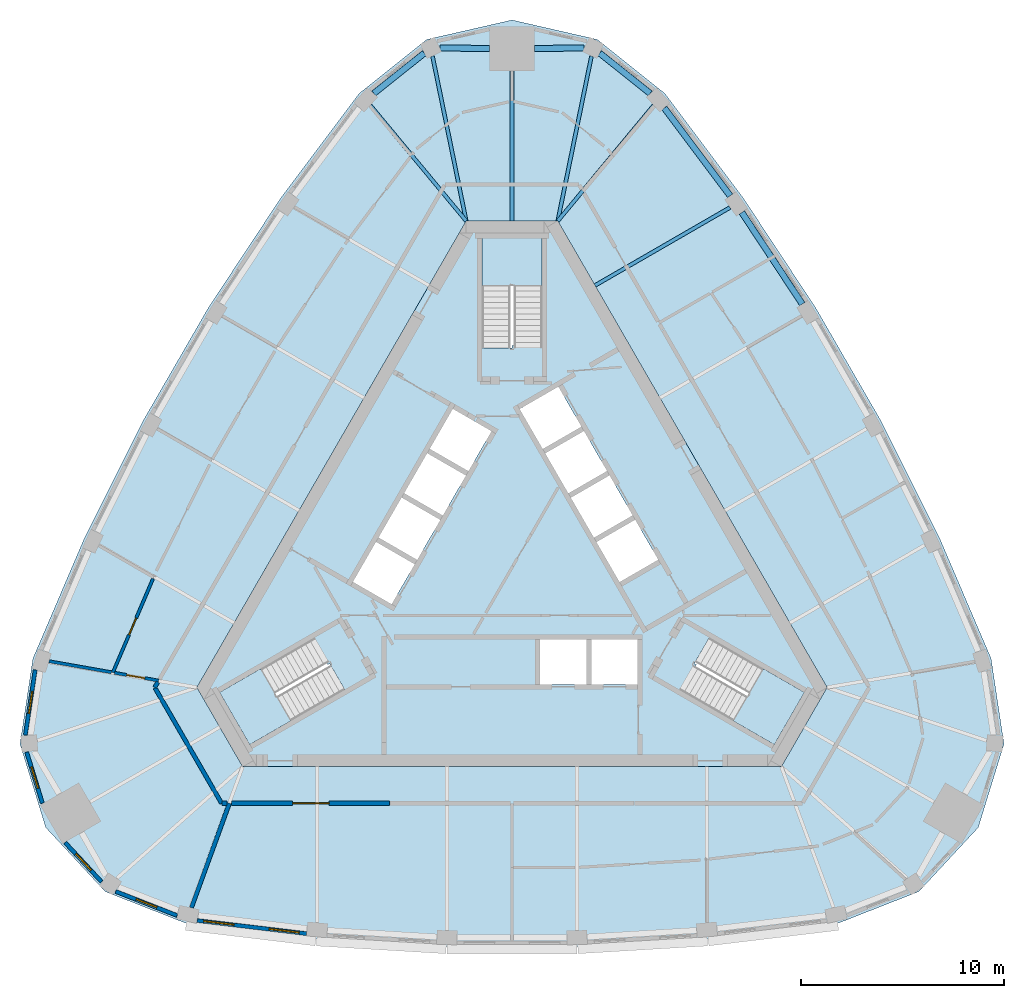
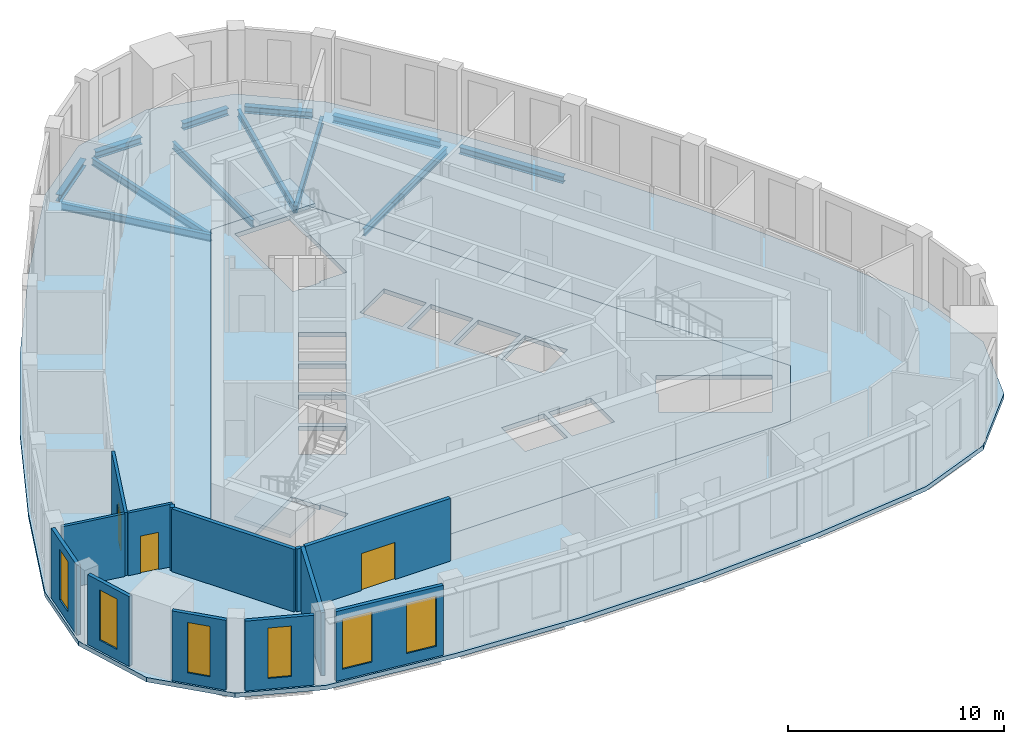
# One storey, part 2 of 10: 13 walls, 12 beams, 6 windows, 5 slabs, 3 doors, 9 openings, 3 elements without a shape of their own.
"""IFC4 building model written with IfcOpenShell, lengths in metres."""

import ifcopenshell
import ifcopenshell.guid

model = None  # the IFC model being written
_history = None  # IfcOwnerHistory: only IFC2X3 demands one
_inside = {}  # id of a spatial element -> (the spatial element, [elements in it])
_under = {}  # id of a project, library or spatial element -> (it, [spatial elements below it])
_declared = {}  # id of a project -> (the project, [libraries it declares])
_typed = {}  # id of a type object -> (the type object, [elements of that type])
_made_of = {}  # id of a material, layer set ... -> (it, [elements and type objects made of it])


def new_model(schema):
    """Start an empty IFC model of exactly this schema.

    Asked for "IFC4X3", IfcOpenShell would pick the latest addendum, in which some entities
    have other attributes; the version numbers below select the first issue.
    IFC2X3 requires an IfcOwnerHistory on every rooted entity: one is made here for all.
    """
    global model, _history
    if schema == "IFC4X3":
        model = ifcopenshell.file(schema_version=(4, 3, 0, 0))
    else:
        model = ifcopenshell.file(schema=schema)
    _inside.clear()
    _under.clear()
    _declared.clear()
    _typed.clear()
    _made_of.clear()
    _history = None
    if model.schema == "IFC2X3":
        org = make("IfcOrganization", Name="unknown")
        user = make(
            "IfcPersonAndOrganization",
            ThePerson=make("IfcPerson", FamilyName="unknown"),
            TheOrganization=org,
        )
        app = make(
            "IfcApplication",
            ApplicationDeveloper=org,
            Version="unknown",
            ApplicationFullName="unknown",
            ApplicationIdentifier="unknown",
        )
        _history = make(
            "IfcOwnerHistory",
            OwningUser=user,
            OwningApplication=app,
            ChangeAction="ADDED",
            CreationDate=0,
        )
    return model


def make(cls, **values):
    """One entity of the class cls with the attributes given. An attribute that is None is left unset."""
    return model.create_entity(
        cls, **{name: value for name, value in values.items() if value is not None}
    )


def rooted(cls, **values):
    """An entity with a GlobalId (a new one), such as an element, a storey or a relation."""
    return make(cls, GlobalId=ifcopenshell.guid.new(), OwnerHistory=_history, **values)


def si_unit(unit_type, name, prefix=None):
    """IfcSIUnit, for example si_unit("LENGTHUNIT", "METRE", prefix="MILLI")."""
    return make("IfcSIUnit", UnitType=unit_type, Prefix=prefix, Name=name)


def assignment(units):
    """IfcUnitAssignment: the units of a project."""
    return None if units is None else make("IfcUnitAssignment", Units=units)


def point(xyz):
    """IfcCartesianPoint."""
    return None if xyz is None else make("IfcCartesianPoint", Coordinates=xyz)


def direction(xyz):
    """IfcDirection."""
    return None if xyz is None else make("IfcDirection", DirectionRatios=xyz)


def frame(location, z_axis=None, x_axis=None):
    """IfcAxis2Placement3D, a coordinate frame: its origin and axes. An axis left out is left unset."""
    return make(
        "IfcAxis2Placement3D",
        Location=point(location),
        Axis=direction(z_axis),
        RefDirection=direction(x_axis),
    )


def frame_2d(location, x_axis=None):
    """IfcAxis2Placement2D, a coordinate frame in the plane: its origin and x axis."""
    return make(
        "IfcAxis2Placement2D", Location=point(location), RefDirection=direction(x_axis)
    )


def origin():
    """The frame at (0, 0, 0) with its axes left unset."""
    return frame((0.0, 0.0, 0.0))


def origin_2d():
    """The frame at (0, 0) in the plane with its x axis left unset."""
    return frame_2d((0.0, 0.0))


def place(relative_to, where):
    """IfcLocalPlacement: puts the frame where relative to a parent placement (None: the world)."""
    return make(
        "IfcLocalPlacement", PlacementRelTo=relative_to, RelativePlacement=where
    )


def context(
    kind, dimensions, precision=None, world=None, true_north=None, identifier=None
):
    """IfcGeometricRepresentationContext, for example the 3D "Model" context."""
    return make(
        "IfcGeometricRepresentationContext",
        ContextIdentifier=identifier,
        ContextType=kind,
        CoordinateSpaceDimension=dimensions,
        Precision=precision,
        WorldCoordinateSystem=world,
        TrueNorth=true_north,
    )


def subcontext(parent, identifier, kind, view, scale=None):
    """IfcGeometricRepresentationSubContext, for example "Body" below "Model"."""
    return make(
        "IfcGeometricRepresentationSubContext",
        ContextIdentifier=identifier,
        ContextType=kind,
        ParentContext=parent,
        TargetScale=scale,
        TargetView=view,
    )


def project(units=None, contexts=None):
    """IfcProject with its units and contexts."""
    return rooted(
        "IfcProject",
        Name="project",
        RepresentationContexts=contexts,
        UnitsInContext=assignment(units),
    )


def spatial(cls, under=None, at=None, **own):
    """A site, building, storey or space (cls), placed at a placement, below another one or the project."""
    s = rooted(cls, ObjectPlacement=at, **own)
    if under is not None:
        _under.setdefault(under.id(), (under, []))[1].append(s)
    return s


def polyline(points):
    """IfcPolyline through the points."""
    return make("IfcPolyline", Points=[point(p) for p in points])


def profile(cls, at=None, kind="AREA", **sizes):
    """A parametric profile (cls). Its sizes go by their IFC names, for example OverallWidth=200.0."""
    return make(cls, ProfileType=kind, Position=at, **sizes)


def rectangle(**sizes):
    """IfcRectangleProfileDef."""
    return profile("IfcRectangleProfileDef", **sizes)


def i_section(**sizes):
    """IfcIShapeProfileDef."""
    return profile("IfcIShapeProfileDef", **sizes)


def outline(outer, holes=None, kind="AREA"):
    """IfcArbitraryClosedProfileDef: a profile drawn as a closed curve; with holes, ...WithVoids."""
    if holes is None:
        return make("IfcArbitraryClosedProfileDef", ProfileType=kind, OuterCurve=outer)
    return make(
        "IfcArbitraryProfileDefWithVoids",
        ProfileType=kind,
        OuterCurve=outer,
        InnerCurves=holes,
    )


def extrude(swept, where, along, depth):
    """IfcExtrudedAreaSolid: the profile swept, set in the frame where, extruded along a direction by depth."""
    return make(
        "IfcExtrudedAreaSolid",
        SweptArea=swept,
        Position=where,
        ExtrudedDirection=direction(along),
        Depth=depth,
    )


def shape(context_of_items, identifier, shape_type, items):
    """IfcShapeRepresentation: the items that make up one representation, for example the "Body"."""
    return make(
        "IfcShapeRepresentation",
        ContextOfItems=context_of_items,
        RepresentationIdentifier=identifier,
        RepresentationType=shape_type,
        Items=items,
    )


def material(Name=None, Category=None):
    """IfcMaterial."""
    return make("IfcMaterial", Name=Name, Category=Category)


def layer(
    of_material, thickness, ventilated=None, Name=None, Category=None, Priority=None
):
    """IfcMaterialLayer: one layer of a wall or slab, of a material (None: an air gap)."""
    return make(
        "IfcMaterialLayer",
        Material=of_material,
        LayerThickness=thickness,
        IsVentilated=ventilated,
        Name=Name,
        Category=Category,
        Priority=Priority,
    )


def layer_set(layers, Name=None):
    """IfcMaterialLayerSet."""
    return make("IfcMaterialLayerSet", MaterialLayers=layers, LayerSetName=Name)


def material_profile(
    of_material, cross_section, Name=None, Category=None, Priority=None
):
    """IfcMaterialProfile: a cross section and its material."""
    return make(
        "IfcMaterialProfile",
        Name=Name,
        Material=of_material,
        Profile=cross_section,
        Priority=Priority,
        Category=Category,
    )


def profile_set(profiles, Name=None, composite=None):
    """IfcMaterialProfileSet."""
    return make(
        "IfcMaterialProfileSet",
        Name=Name,
        MaterialProfiles=profiles,
        CompositeProfile=composite,
    )


def made_of(thing, what):
    """Note that an element or type object is made of a material, layer set ...; save() writes the relation."""
    if what is not None:
        _made_of.setdefault(what.id(), (what, []))[1].append(thing)
    return thing


def type_object(cls, material=None, **own):
    """A type object (cls), such as IfcWallType, which elements share."""
    return made_of(rooted(cls, **own), material)


def element(
    cls,
    number,
    at=None,
    inside=None,
    cuts=None,
    type_object=None,
    material=None,
    context=None,
    identifier="Body",
    shape_type=None,
    held_by="IfcProductDefinitionShape",
    body=None,
    shapes=None,
    **own,
):
    """One element of the class cls, such as IfcWall. Its Tag is "e" and its number.

    at: its placement. inside: the storey or other place that contains it. cuts: it is an
    opening in that element (IfcRelVoidsElement). A single representation is given by context,
    identifier, shape_type and body (its items); several are given by shapes. held_by: the class
    of the entity that holds the representations. save() writes the other relations.
    """
    e = rooted(cls, Tag="e%d" % number, ObjectPlacement=at, **own)
    if body is not None:
        shapes = [shape(context, identifier, shape_type, body)]
    if shapes is not None:
        e.Representation = make(held_by, Representations=shapes)
    if inside is not None:
        _inside.setdefault(inside.id(), (inside, []))[1].append(e)
    if cuts is not None:
        rooted(
            "IfcRelVoidsElement", RelatingBuildingElement=cuts, RelatedOpeningElement=e
        )
    if type_object is not None:
        _typed.setdefault(type_object.id(), (type_object, []))[1].append(e)
    return made_of(e, material)


def fill(opening, filler):
    """IfcRelFillsElement: the door or window that sits in an opening."""
    return rooted(
        "IfcRelFillsElement",
        RelatingOpeningElement=opening,
        RelatedBuildingElement=filler,
    )


def aggregate(whole, parts):
    """IfcRelAggregates: a whole, such as a stair, and the parts it consists of."""
    return rooted("IfcRelAggregates", RelatingObject=whole, RelatedObjects=parts)


def save(model, path):
    """Write the relations noted so far, then the file.

    IfcRelAggregates (storeys below a building ...), IfcRelContainedInSpatialStructure (elements
    in a storey), IfcRelDefinesByType, IfcRelAssociatesMaterial and IfcRelDeclares: one each for
    every whole, place, type object, material and project.
    """
    for whole, parts in _under.values():
        aggregate(whole, parts)
    for where, things in _inside.values():
        rooted(
            "IfcRelContainedInSpatialStructure",
            RelatedElements=things,
            RelatingStructure=where,
        )
    for kind, things in _typed.values():
        rooted("IfcRelDefinesByType", RelatedObjects=things, RelatingType=kind)
    for what, things in _made_of.values():
        rooted("IfcRelAssociatesMaterial", RelatedObjects=things, RelatingMaterial=what)
    for by, libraries in _declared.values():
        rooted("IfcRelDeclares", RelatingContext=by, RelatedDefinitions=libraries)
    model.write(path)


model = new_model("IFC4")

# Units and contexts
model_context = context("Model", 3, precision=1e-05, world=origin(), true_north=direction((0.0, 1.0)))
body_context = subcontext(model_context, "Body", "Model", "MODEL_VIEW")
ifc_project = project(units=[si_unit("LENGTHUNIT", "METRE"), si_unit("AREAUNIT", "SQUARE_METRE"), si_unit("VOLUMEUNIT", "CUBIC_METRE"), si_unit("PLANEANGLEUNIT", "RADIAN"), si_unit("MASSUNIT", "GRAM", prefix="KILO")], contexts=[model_context])

# Site, building, storey
site_placement = place(None, origin())
site = spatial("IfcSite", under=ifc_project, at=site_placement, CompositionType="ELEMENT")
building_placement = place(site_placement, origin())
building = spatial("IfcBuilding", under=site, at=building_placement, Name="Mestral Congress Tower", CompositionType="ELEMENT")
storey_placement = place(building_placement, frame((0.0, 0.0, 292.199951171875)))
storey = spatial("IfcBuildingStorey", under=building, at=storey_placement, Name="L68", CompositionType="ELEMENT", Elevation=292.199951171875)

# Beams
ifc_material_1 = material(Name="Steel S355", Category="steel")
ifc_material_profile_1 = material_profile(ifc_material_1, i_section(OverallWidth=0.179931640625, OverallDepth=0.39990234375, WebThickness=0.008544921875, FlangeThickness=0.013427734375, FilletRadius=0.02099609375, at=origin_2d()), Name="IPE 400")
ifc_profile_set_1 = profile_set([ifc_material_profile_1], Name="Steel S355")
beam_type_1 = type_object("IfcBeamType", Name="Floor beam IPE 400 S355", PredefinedType="BEAM", material=ifc_profile_set_1)
beam_1_placement = place(storey_placement, frame((10.7275390625, 17.263916015625, -0.449951171875), z_axis=(-0.866019720907, -0.500009842903, 0.0), x_axis=(0.500009842903, -0.866019720907, 0.0)))
element("IfcBeam", 1, at=beam_1_placement, inside=storey, type_object=beam_type_1, Name="BM-L68-RB5-E04", PredefinedType="BEAM", context=body_context, shape_type="SweptSolid", body=[
    extrude(i_section(OverallWidth=0.179931640625, OverallDepth=0.39990234375, WebThickness=0.008544921875, FlangeThickness=0.013427734375, FilletRadius=0.02099609375, at=origin_2d()), origin(), (0.0, 0.0, 1.0), 7.672119140625),
])
beam_2_placement = place(storey_placement, frame((6.969970703125, 22.2890625, -0.449951171875), z_axis=(-0.638382651591, -0.769719163168, 0.0), x_axis=(0.769719163168, -0.638382651591, 0.0)))
element("IfcBeam", 2, at=beam_2_placement, inside=storey, type_object=beam_type_1, Name="BM-L68-RB5-E05", PredefinedType="BEAM", context=body_context, shape_type="SweptSolid", body=[
    extrude(i_section(OverallWidth=0.179931640625, OverallDepth=0.39990234375, WebThickness=0.008544921875, FlangeThickness=0.013427734375, FilletRadius=0.02099609375, at=origin_2d()), origin(), (0.0, 0.0, 1.0), 7.390869140625),
])
beam_3_placement = place(storey_placement, frame((3.910888671875, 24.7119140625, -0.449951171875), z_axis=(-0.200389803804, -0.979716247967, 0.0), x_axis=(0.979716247967, -0.200389803804, 0.0)))
element("IfcBeam", 3, at=beam_3_placement, inside=storey, type_object=beam_type_1, Name="BM-L68-RB5-N1", PredefinedType="BEAM", context=body_context, shape_type="SweptSolid", body=[
    extrude(i_section(OverallWidth=0.179931640625, OverallDepth=0.39990234375, WebThickness=0.008544921875, FlangeThickness=0.013427734375, FilletRadius=0.02099609375, at=origin_2d()), origin(), (0.0, 0.0, 1.0), 8.27978515625),
])
beam_4_placement = place(storey_placement, frame((0.0, 23.97802734375, -0.449951171875), z_axis=(0.0, -1.0, 0.0), x_axis=(1.0, 0.0, 0.0)))
element("IfcBeam", 4, at=beam_4_placement, inside=storey, type_object=beam_type_1, Name="BM-L68-RB5-N", PredefinedType="BEAM", context=body_context, shape_type="SweptSolid", body=[
    extrude(i_section(OverallWidth=0.179931640625, OverallDepth=0.39990234375, WebThickness=0.008544921875, FlangeThickness=0.013427734375, FilletRadius=0.02099609375, at=origin_2d()), origin(), (0.0, 0.0, 1.0), 7.3779296875),
])
beam_5_placement = place(storey_placement, frame((-3.910888671875, 24.7119140625, -0.449951171875), z_axis=(0.200389803804, -0.979716247967, 0.0), x_axis=(0.979716247967, 0.200389803804, 0.0)))
element("IfcBeam", 5, at=beam_5_placement, inside=storey, type_object=beam_type_1, Name="BM-L68-RB5-N3", PredefinedType="BEAM", context=body_context, shape_type="SweptSolid", body=[
    extrude(i_section(OverallWidth=0.179931640625, OverallDepth=0.39990234375, WebThickness=0.008544921875, FlangeThickness=0.013427734375, FilletRadius=0.02099609375, at=origin_2d()), origin(), (0.0, 0.0, 1.0), 8.27978515625),
])
beam_6_placement = place(storey_placement, frame((-6.969970703125, 22.2890625, -0.449951171875), z_axis=(0.638382651591, -0.769719163168, 0.0), x_axis=(0.769719163168, 0.638382651591, 0.0)))
element("IfcBeam", 6, at=beam_6_placement, inside=storey, type_object=beam_type_1, Name="BM-L68-RB5-W00", PredefinedType="BEAM", context=body_context, shape_type="SweptSolid", body=[
    extrude(i_section(OverallWidth=0.179931640625, OverallDepth=0.39990234375, WebThickness=0.008544921875, FlangeThickness=0.013427734375, FilletRadius=0.02099609375, at=origin_2d()), origin(), (0.0, 0.0, 1.0), 7.390869140625),
])
ifc_material_profile_2 = material_profile(ifc_material_1, i_section(OverallWidth=0.300048828125, OverallDepth=0.389892578125, WebThickness=0.010986328125, FlangeThickness=0.01904296875, FilletRadius=0.027099609375, at=origin_2d()), Name="HEA 400")
ifc_profile_set_2 = profile_set([ifc_material_profile_2], Name="Steel S355")
beam_type_2 = type_object("IfcBeamType", Name="Spandrel beam HEA 400 S355", PredefinedType="BEAM", material=ifc_profile_set_2)
beam_7_placement = place(storey_placement, frame((14.280517578125, 12.51611328125, -0.445068359375), z_axis=(-0.550748957655, 0.83467094453, 0.0), x_axis=(-0.83467094453, -0.550748957655, 0.0)))
element("IfcBeam", 7, at=beam_7_placement, inside=storey, type_object=beam_type_2, Name="SP-L68-SB5-E03", PredefinedType="BEAM", context=body_context, shape_type="SweptSolid", body=[
    extrude(i_section(OverallWidth=0.300048828125, OverallDepth=0.389892578125, WebThickness=0.010986328125, FlangeThickness=0.01904296875, FilletRadius=0.027099609375, at=origin_2d()), origin(), (0.0, 0.0, 1.0), 5.3984375),
])
beam_8_placement = place(storey_placement, frame((10.73193359375, 17.83984375, -0.445068359375), z_axis=(-0.599529393236, 0.800352738888, 0.0), x_axis=(-0.800352738888, -0.599529393236, 0.0)))
element("IfcBeam", 8, at=beam_8_placement, inside=storey, type_object=beam_type_2, Name="SP-L68-SB5-E04", PredefinedType="BEAM", context=body_context, shape_type="SweptSolid", body=[
    extrude(i_section(OverallWidth=0.300048828125, OverallDepth=0.389892578125, WebThickness=0.010986328125, FlangeThickness=0.01904296875, FilletRadius=0.027099609375, at=origin_2d()), origin(), (0.0, 0.0, 1.0), 5.396484375),
])
beam_9_placement = place(storey_placement, frame((6.7998046875, 22.876708984375, -0.445068359375), z_axis=(-0.781647188603, 0.623720829016, 0.0), x_axis=(-0.623720829016, -0.781647188603, 0.0)))
element("IfcBeam", 9, at=beam_9_placement, inside=storey, type_object=beam_type_2, Name="SP-L68-SB5-E05", PredefinedType="BEAM", context=body_context, shape_type="SweptSolid", body=[
    extrude(i_section(OverallWidth=0.300048828125, OverallDepth=0.389892578125, WebThickness=0.010986328125, FlangeThickness=0.01904296875, FilletRadius=0.027099609375, at=origin_2d()), origin(), (0.0, 0.0, 1.0), 3.179931640625),
])
for number, where, z_axis, x_axis, name in (
    (10, (3.54736328125, 25.11181640625, -0.445068359375), (-0.999955093848, -0.009476829002, 0.0), (0.009476829002, -0.999955093848, 0.0), "SP-L68-SB5-N1"),
    (11, (-1.10009765625, 25.088623046875, -0.445068359375), (-0.999955093848, 0.009476829002, 0.0), (-0.009476829002, -0.999955093848, 0.0), "SP-L68-SB5-N"),
):
    element("IfcBeam", number, at=place(storey_placement, frame(where, z_axis=z_axis, x_axis=x_axis)), inside=storey, type_object=beam_type_2, Name=name, PredefinedType="BEAM", context=body_context, shape_type="SweptSolid", body=[
        extrude(i_section(OverallWidth=0.300048828125, OverallDepth=0.389892578125, WebThickness=0.010986328125, FlangeThickness=0.01904296875, FilletRadius=0.027099609375, at=origin_2d()), origin(), (0.0, 0.0, 1.0), 2.447265625),
    ])
beam_10_placement = place(storey_placement, frame((-4.314208984375, 24.860107421875, -0.445068359375), z_axis=(-0.781647188603, -0.623720829016, 0.0), x_axis=(0.623720829016, -0.781647188603, 0.0)))
element("IfcBeam", 12, at=beam_10_placement, inside=storey, type_object=beam_type_2, Name="SP-L68-SB5-N3", PredefinedType="BEAM", context=body_context, shape_type="SweptSolid", body=[
    extrude(i_section(OverallWidth=0.300048828125, OverallDepth=0.389892578125, WebThickness=0.010986328125, FlangeThickness=0.01904296875, FilletRadius=0.027099609375, at=origin_2d()), origin(), (0.0, 0.0, 1.0), 3.179931640625),
])

# Slabs
ifc_material_2 = material(Name="Concrete C35/45", Category="concrete")
ifc_layer_1 = layer(ifc_material_2, 0.25)
ifc_layer_set_1 = layer_set([ifc_layer_1], Name="Concrete C35/45")
slab_type_1 = type_object("IfcSlabType", Name="Composite floor slab 250", PredefinedType="FLOOR", material=ifc_layer_set_1)
placement_1 = place(storey_placement, frame((0.0, 0.0, -0.25)))
element("IfcSlab", 13, at=placement_1, inside=storey, type_object=slab_type_1, Name="SL-L68", PredefinedType="FLOOR", context=body_context, shape_type="SweptSolid", body=[
    extrude(outline(polyline([(-16.051513671875, -17.951904296875), (-20.014404296875, -16.39794921875), (-22.940673828125, -13.244873046875), (-24.208251953125, -9.1337890625), (-23.572509765625, -4.925048828125), (-21.027587890625, 1.0234375), (-18.152099609375, 6.77001953125), (-14.939208984375, 12.335205078125), (-11.400146484375, 17.698486328125), (-7.52099609375, 22.876953125), (-4.19384765625, 25.531982421875), (0.0, 26.48974609375), (4.19384765625, 25.531982421875), (7.52099609375, 22.876953125), (11.400146484375, 17.698486328125), (14.939208984375, 12.335205078125), (18.152099609375, 6.77001953125), (21.027587890625, 1.0234375), (23.572509765625, -4.925048828125), (24.208251953125, -9.1337890625), (22.940673828125, -13.244873046875), (20.014404296875, -16.39794921875), (16.051513671875, -17.951904296875), (9.62744140625, -18.72216796875), (3.212890625, -19.105224609375), (-3.212890625, -19.105224609375), (-9.62744140625, -18.72216796875), (-16.051513671875, -17.951904296875)]), holes=[polyline([(-2.251708984375, 16.60009765625), (-15.501953125, -6.35009765625), (-13.250244140625, -10.25), (13.250244140625, -10.25), (15.501953125, -6.35009765625), (2.251708984375, 16.60009765625), (-2.251708984375, 16.60009765625)])]), origin(), (0.0, 0.0, 1.0), 0.25),
])
ifc_material_3 = material(Name="Concrete C60/75", Category="concrete")
ifc_layer_2 = layer(ifc_material_3, 0.25)
ifc_layer_set_2 = layer_set([ifc_layer_2], Name="Concrete C60/75")
slab_type_2 = type_object("IfcSlabType", Name="Core floor slab RC 250", PredefinedType="FLOOR", material=ifc_layer_set_2)
element("IfcSlab", 14, at=placement_1, inside=storey, type_object=slab_type_2, Name="L68 core floor", PredefinedType="FLOOR", context=body_context, shape_type="SweptSolid", body=[
    extrude(outline(polyline([(13.250244140625, -10.25), (-13.250244140625, -10.25), (-15.501953125, -6.35009765625), (-2.251708984375, 16.60009765625), (2.251708984375, 16.60009765625), (15.501953125, -6.35009765625), (13.250244140625, -10.25)]), holes=[polyline([(-14.37744140625, -6.59765625), (-12.90234375, -9.15234375), (-8.234619140625, -6.45751953125), (-8.971923828125, -5.179931640625), (-9.0673828125, -5.235107421875), (-9.8046875, -3.95751953125), (-14.37744140625, -6.59765625)]), polyline([(-5.921630859375, -2.256591796875), (-4.78662109375, -0.29052734375), (-6.69189453125, 0.809326171875), (-7.826904296875, -1.156494140625), (-5.921630859375, -2.256591796875)]), polyline([(-4.66162109375, -0.07421875), (-3.526611328125, 1.8916015625), (-5.431884765625, 2.99169921875), (-6.56689453125, 1.02587890625), (-4.66162109375, -0.07421875)]), polyline([(-2.2666015625, 4.07421875), (-4.171875, 5.174072265625), (-5.306884765625, 3.208251953125), (-3.401611328125, 2.1083984375), (-2.2666015625, 4.07421875)]), polyline([(-2.1416015625, 4.29052734375), (-1.006591796875, 6.256591796875), (-2.911865234375, 7.3564453125), (-4.046875, 5.390625), (-2.1416015625, 4.29052734375)]), polyline([(0.376708984375, 7.34765625), (1.51171875, 5.3818359375), (3.4169921875, 6.481689453125), (2.281982421875, 8.44775390625), (0.376708984375, 7.34765625)]), polyline([(1.47509765625, 15.75), (-1.47509765625, 15.75), (-1.47509765625, 10.360107421875), (0.0, 10.360107421875), (0.0, 10.469970703125), (1.47509765625, 10.469970703125), (1.47509765625, 15.75)]), polyline([(8.329833984375, -6.512451171875), (12.90234375, -9.15234375), (14.37744140625, -6.59765625), (9.70947265625, -3.902587890625), (8.971923828125, -5.179931640625), (9.0673828125, -5.235107421875), (8.329833984375, -6.512451171875)]), polyline([(3.655029296875, -4.0), (1.385009765625, -4.0), (1.385009765625, -6.199951171875), (3.655029296875, -6.199951171875), (3.655029296875, -4.0)]), polyline([(6.175048828125, -4.0), (3.905029296875, -4.0), (3.905029296875, -6.199951171875), (6.175048828125, -6.199951171875), (6.175048828125, -4.0)]), polyline([(4.156494140625, 0.800537109375), (5.29150390625, -1.165283203125), (7.197021484375, -0.065185546875), (6.06201171875, 1.900634765625), (4.156494140625, 0.800537109375)]), polyline([(2.896484375, 2.98291015625), (4.031494140625, 1.01708984375), (5.93701171875, 2.1171875), (4.802001953125, 4.0830078125), (2.896484375, 2.98291015625)]), polyline([(1.63671875, 5.165283203125), (2.771484375, 3.199462890625), (4.677001953125, 4.29931640625), (3.5419921875, 6.265380859375), (1.63671875, 5.165283203125)])]), origin(), (0.0, 0.0, 1.0), 0.25),
])

# Stair, slab
stair_type = type_object("IfcStairType", Name="Exit stair 1400", PredefinedType="HALF_TURN_STAIR", material=ifc_material_3)
placement_2 = place(storey_placement, origin())
stair_1 = element("IfcStair", 15, at=placement_2, inside=storey, type_object=stair_type, Name="L68 ST1", PredefinedType="HALF_TURN_STAIR")
ifc_layer_3 = layer(ifc_material_3, 0.199951171875)
ifc_layer_set_3 = layer_set([ifc_layer_3], Name="Concrete C60/75")
slab_type_3 = type_object("IfcSlabType", Name="Exit stair landing 200", PredefinedType="LANDING", material=ifc_layer_set_3)
placement_3 = place(storey_placement, frame((0.0, 0.0, 1.900146484375)))
slab_3 = element("IfcSlab", 16, at=placement_3, type_object=slab_type_3, Name="ST1 landing 1", PredefinedType="LANDING", context=body_context, shape_type="SweptSolid", body=[
    extrude(outline(polyline([(10.879638671875, -7.99609375), (12.364501953125, -5.424072265625), (14.39111328125, -6.593994140625), (12.906005859375, -9.166015625), (10.879638671875, -7.99609375)])), origin(), (0.0, 0.0, 1.0), 0.199951171875),
])
aggregate(stair_1, [slab_3])

stair_2 = element("IfcStair", 17, at=placement_2, inside=storey, type_object=stair_type, Name="L68 ST2", PredefinedType="HALF_TURN_STAIR")
slab_4 = element("IfcSlab", 18, at=placement_3, type_object=slab_type_3, Name="ST2 landing 1", PredefinedType="LANDING", context=body_context, shape_type="SweptSolid", body=[
    extrude(outline(polyline([(1.485107421875, 13.419921875), (-1.485107421875, 13.419921875), (-1.485107421875, 15.760009765625), (1.485107421875, 15.760009765625), (1.485107421875, 13.419921875)])), origin(), (0.0, 0.0, 1.0), 0.199951171875),
])
aggregate(stair_2, [slab_4])

stair_3 = element("IfcStair", 19, at=placement_2, inside=storey, type_object=stair_type, Name="L68 ST3", PredefinedType="HALF_TURN_STAIR")
slab_5 = element("IfcSlab", 20, at=placement_3, type_object=slab_type_3, Name="ST3 landing 1", PredefinedType="LANDING", context=body_context, shape_type="SweptSolid", body=[
    extrude(outline(polyline([(-12.364501953125, -5.424072265625), (-10.879638671875, -7.99609375), (-12.906005859375, -9.166015625), (-14.39111328125, -6.593994140625), (-12.364501953125, -5.424072265625)])), origin(), (0.0, 0.0, 1.0), 0.199951171875),
])
aggregate(stair_3, [slab_5])

# Wall, openings, windows
ifc_material_4 = material(Name="Precast concrete C40/50 with limestone facing", Category="masonry")
ifc_layer_4 = layer(ifc_material_4, 0.18994140625)
ifc_layer_set_4 = layer_set([ifc_layer_4], Name="Precast concrete C40/50 with limestone facing")
wall_type_1 = type_object("IfcWallType", Name="Facade stone wall 190", PredefinedType="SOLIDWALL", material=ifc_layer_set_4)
wall_1_placement = place(storey_placement, frame((-15.487060546875, -17.822998046875, 0.0), z_axis=(0.0, 0.0, 1.0), x_axis=(0.992885582795, -0.119072328769, 0.0)))
wall_1 = element("IfcWall", 21, at=wall_1_placement, inside=storey, type_object=wall_type_1, Name="Facade wall F0-00", PredefinedType="SOLIDWALL", context=body_context, shape_type="SweptSolid", body=[
    extrude(rectangle(XDim=5.4150390625, YDim=0.18994140625, at=frame_2d((2.70751953125, 0.0))), origin(), (0.0, 0.0, 1.0), 3.949951171875),
])
opening_1_placement = place(wall_1_placement, frame((0.322509765625, 0.0, 0.60009765625)))
opening_1 = element("IfcOpeningElement", 22, at=opening_1_placement, cuts=wall_1, Name="Opening W6", PredefinedType="OPENING", context=body_context, shape_type="SweptSolid", body=[
    extrude(rectangle(XDim=1.5, YDim=2.85009765625, at=frame_2d((0.75, 1.425048828125))), frame((0.0, 0.10498046875, 0.0), z_axis=(0.0, -1.0, 0.0), x_axis=(1.0, 0.0, 0.0)), (0.0, 0.0, 1.0), 0.2099609375),
])
opening_2_placement = place(wall_1_placement, frame((3.5576171875, 0.0, 0.60009765625)))
opening_2 = element("IfcOpeningElement", 23, at=opening_2_placement, cuts=wall_1, Name="Opening W6", PredefinedType="OPENING", context=body_context, shape_type="SweptSolid", body=[
    extrude(rectangle(XDim=1.5, YDim=2.85009765625, at=frame_2d((0.75, 1.425048828125))), frame((0.0, 0.10498046875, 0.0), z_axis=(0.0, -1.0, 0.0), x_axis=(1.0, 0.0, 0.0)), (0.0, 0.0, 1.0), 0.2099609375),
])
ifc_material_5 = material(Name="Clear low-emissivity double glazing", Category="glass")
window_type_1 = type_object("IfcWindowType", Name="Facade punched window 1500 x 2850 sill 600", PartitioningType="SINGLE_PANEL", PredefinedType="WINDOW", material=ifc_material_5)
window_1_placement = place(opening_1_placement, origin())
window_1 = element("IfcWindow", 24, at=window_1_placement, inside=storey, type_object=window_type_1, Name="Window F0-00a", OverallHeight=2.85009765625, OverallWidth=1.5, PartitioningType="SINGLE_PANEL", PredefinedType="WINDOW", context=body_context, shape_type="SweptSolid", body=[
    extrude(rectangle(XDim=1.5, YDim=2.85009765625, at=frame_2d((0.75, 1.425048828125))), frame((0.0, 0.044921875, 0.0), z_axis=(0.0, -1.0, 0.0), x_axis=(1.0, 0.0, 0.0)), (0.0, 0.0, 1.0), 0.06005859375),
])
fill(opening_1, window_1)
window_2_placement = place(opening_2_placement, origin())
window_2 = element("IfcWindow", 25, at=window_2_placement, inside=storey, type_object=window_type_1, Name="Window F0-00b", OverallHeight=2.85009765625, OverallWidth=1.5, PartitioningType="SINGLE_PANEL", PredefinedType="WINDOW", context=body_context, shape_type="SweptSolid", body=[
    extrude(rectangle(XDim=1.5, YDim=2.85009765625, at=frame_2d((0.75, 1.425048828125))), frame((0.0, 0.044921875, 0.0), z_axis=(0.0, -1.0, 0.0), x_axis=(1.0, 0.0, 0.0)), (0.0, 0.0, 1.0), 0.06005859375),
])
fill(opening_2, window_2)

# Wall, opening, window
wall_2_placement = place(storey_placement, frame((-23.460205078125, -5.488037109375, 0.0), z_axis=(0.0, 0.0, 1.0), x_axis=(-0.149421055602, -0.988773658702, 0.0)))
wall_2 = element("IfcWall", 26, at=wall_2_placement, inside=storey, type_object=wall_type_1, Name="Facade wall K2-0", PredefinedType="SOLIDWALL", context=body_context, shape_type="SweptSolid", body=[
    extrude(rectangle(XDim=3.23681640625, YDim=0.18994140625, at=frame_2d((1.618408203125, 0.0))), origin(), (0.0, 0.0, 1.0), 3.949951171875),
])
opening_3_placement = place(wall_2_placement, frame((1.068359375, 0.0, 0.60009765625)))
opening_3 = element("IfcOpeningElement", 27, at=opening_3_placement, cuts=wall_2, Name="Opening W7", PredefinedType="OPENING", context=body_context, shape_type="SweptSolid", body=[
    extrude(rectangle(XDim=1.10009765625, YDim=2.85009765625, at=frame_2d((0.550048828125, 1.425048828125))), frame((0.0, 0.10498046875, 0.0), z_axis=(0.0, -1.0, 0.0), x_axis=(1.0, 0.0, 0.0)), (0.0, 0.0, 1.0), 0.2099609375),
])
window_type_2 = type_object("IfcWindowType", Name="Facade punched window 1100 x 2850 sill 600", PartitioningType="SINGLE_PANEL", PredefinedType="WINDOW", material=ifc_material_5)
window_3_placement = place(opening_3_placement, origin())
window_3 = element("IfcWindow", 28, at=window_3_placement, inside=storey, type_object=window_type_2, Name="Window K2-0", OverallHeight=2.85009765625, OverallWidth=1.10009765625, PartitioningType="SINGLE_PANEL", PredefinedType="WINDOW", context=body_context, shape_type="SweptSolid", body=[
    extrude(rectangle(XDim=1.10009765625, YDim=2.85009765625, at=frame_2d((0.550048828125, 1.425048828125))), frame((0.0, 0.044921875, 0.0), z_axis=(0.0, -1.0, 0.0), x_axis=(1.0, 0.0, 0.0)), (0.0, 0.0, 1.0), 0.06005859375),
])
fill(opening_3, window_3)

wall_3_placement = place(storey_placement, frame((-23.880615234375, -9.53515625, 0.0), z_axis=(0.0, 0.0, 1.0), x_axis=(0.294706210429, -0.9555879078, 0.0)))
wall_3 = element("IfcWall", 29, at=wall_3_placement, inside=storey, type_object=wall_type_1, Name="Facade wall K2-1", PredefinedType="SOLIDWALL", context=body_context, shape_type="SweptSolid", body=[
    extrude(rectangle(XDim=2.626953125, YDim=0.18994140625, at=frame_2d((1.3134765625, 0.0))), origin(), (0.0, 0.0, 1.0), 3.949951171875),
])
opening_4_placement = place(wall_3_placement, frame((0.763427734375, 0.0, 0.60009765625)))
opening_4 = element("IfcOpeningElement", 30, at=opening_4_placement, cuts=wall_3, Name="Opening W7", PredefinedType="OPENING", context=body_context, shape_type="SweptSolid", body=[
    extrude(rectangle(XDim=1.10009765625, YDim=2.85009765625, at=frame_2d((0.550048828125, 1.425048828125))), frame((0.0, 0.10498046875, 0.0), z_axis=(0.0, -1.0, 0.0), x_axis=(1.0, 0.0, 0.0)), (0.0, 0.0, 1.0), 0.2099609375),
])
window_4_placement = place(opening_4_placement, origin())
window_4 = element("IfcWindow", 31, at=window_4_placement, inside=storey, type_object=window_type_2, Name="Window K2-1", OverallHeight=2.85009765625, OverallWidth=1.10009765625, PartitioningType="SINGLE_PANEL", PredefinedType="WINDOW", context=body_context, shape_type="SweptSolid", body=[
    extrude(rectangle(XDim=1.10009765625, YDim=2.85009765625, at=frame_2d((0.550048828125, 1.425048828125))), frame((0.0, 0.044921875, 0.0), z_axis=(0.0, -1.0, 0.0), x_axis=(1.0, 0.0, 0.0)), (0.0, 0.0, 1.0), 0.06005859375),
])
fill(opening_4, window_4)

wall_4_placement = place(storey_placement, frame((-21.98486328125, -13.988037109375, 0.0), z_axis=(0.0, 0.0, 1.0), x_axis=(0.680219354823, -0.733008614768, 0.0)))
wall_4 = element("IfcWall", 32, at=wall_4_placement, inside=storey, type_object=wall_type_1, Name="Facade wall K2-2", PredefinedType="SOLIDWALL", context=body_context, shape_type="SweptSolid", body=[
    extrude(rectangle(XDim=2.626953125, YDim=0.18994140625, at=frame_2d((1.3134765625, 0.0))), origin(), (0.0, 0.0, 1.0), 3.949951171875),
])
opening_5_placement = place(wall_4_placement, frame((0.763427734375, 0.0, 0.60009765625)))
opening_5 = element("IfcOpeningElement", 33, at=opening_5_placement, cuts=wall_4, Name="Opening W7", PredefinedType="OPENING", context=body_context, shape_type="SweptSolid", body=[
    extrude(rectangle(XDim=1.10009765625, YDim=2.85009765625, at=frame_2d((0.550048828125, 1.425048828125))), frame((0.0, 0.10498046875, 0.0), z_axis=(0.0, -1.0, 0.0), x_axis=(1.0, 0.0, 0.0)), (0.0, 0.0, 1.0), 0.2099609375),
])
window_5_placement = place(opening_5_placement, origin())
window_5 = element("IfcWindow", 34, at=window_5_placement, inside=storey, type_object=window_type_2, Name="Window K2-2", OverallHeight=2.85009765625, OverallWidth=1.10009765625, PartitioningType="SINGLE_PANEL", PredefinedType="WINDOW", context=body_context, shape_type="SweptSolid", body=[
    extrude(rectangle(XDim=1.10009765625, YDim=2.85009765625, at=frame_2d((0.550048828125, 1.425048828125))), frame((0.0, 0.044921875, 0.0), z_axis=(0.0, -1.0, 0.0), x_axis=(1.0, 0.0, 0.0)), (0.0, 0.0, 1.0), 0.06005859375),
])
fill(opening_5, window_5)

wall_5_placement = place(storey_placement, frame((-19.496337890625, -16.3916015625, 0.0), z_axis=(0.0, 0.0, 1.0), x_axis=(0.93100888477, -0.364996515709, 0.0)))
wall_5 = element("IfcWall", 35, at=wall_5_placement, inside=storey, type_object=wall_type_1, Name="Facade wall K2-3", PredefinedType="SOLIDWALL", context=body_context, shape_type="SweptSolid", body=[
    extrude(rectangle(XDim=3.23681640625, YDim=0.18994140625, at=frame_2d((1.618408203125, 0.0))), origin(), (0.0, 0.0, 1.0), 3.949951171875),
])
opening_6_placement = place(wall_5_placement, frame((1.068359375, 0.0, 0.60009765625)))
opening_6 = element("IfcOpeningElement", 36, at=opening_6_placement, cuts=wall_5, Name="Opening W7", PredefinedType="OPENING", context=body_context, shape_type="SweptSolid", body=[
    extrude(rectangle(XDim=1.10009765625, YDim=2.85009765625, at=frame_2d((0.550048828125, 1.425048828125))), frame((0.0, 0.10498046875, 0.0), z_axis=(0.0, -1.0, 0.0), x_axis=(1.0, 0.0, 0.0)), (0.0, 0.0, 1.0), 0.2099609375),
])
window_6_placement = place(opening_6_placement, origin())
window_6 = element("IfcWindow", 37, at=window_6_placement, inside=storey, type_object=window_type_2, Name="Window K2-3", OverallHeight=2.85009765625, OverallWidth=1.10009765625, PartitioningType="SINGLE_PANEL", PredefinedType="WINDOW", context=body_context, shape_type="SweptSolid", body=[
    extrude(rectangle(XDim=1.10009765625, YDim=2.85009765625, at=frame_2d((0.550048828125, 1.425048828125))), frame((0.0, 0.044921875, 0.0), z_axis=(0.0, -1.0, 0.0), x_axis=(1.0, 0.0, 0.0)), (0.0, 0.0, 1.0), 0.06005859375),
])
fill(opening_6, window_6)

# Wall, opening, door
ifc_material_6 = material(Name="Plasterboard partition on steel studs", Category="steel")
ifc_layer_5 = layer(ifc_material_6, 0.14990234375)
ifc_layer_set_5 = layer_set([ifc_layer_5], Name="Plasterboard partition on steel studs")
wall_type_2 = type_object("IfcWallType", Name="Office partition 150", PredefinedType="PARTITIONING", material=ifc_layer_set_5)
wall_6_placement = place(storey_placement, frame((-19.638671875, -5.61962890625, 0.0), z_axis=(0.0, 0.0, 1.0), x_axis=(0.393349802257, 0.919388891092, 0.0)))
wall_6 = element("IfcWall", 38, at=wall_6_placement, inside=storey, type_object=wall_type_2, Name="Partition", PredefinedType="PARTITIONING", context=body_context, shape_type="SweptSolid", body=[
    extrude(rectangle(XDim=5.019287109375, YDim=0.14990234375, at=frame_2d((2.509765625, 0.0))), origin(), (0.0, 0.0, 1.0), 3.550048828125),
])
opening_7_placement = place(wall_6_placement, frame((2.019287109375, 0.0, 0.0)))
opening_7 = element("IfcOpeningElement", 39, at=opening_7_placement, cuts=wall_6, Name="Opening O13-016", PredefinedType="OPENING", context=body_context, shape_type="SweptSolid", body=[
    extrude(rectangle(XDim=0.89990234375, YDim=2.10009765625, at=frame_2d((0.449951171875, 1.050048828125))), frame((0.0, 0.0849609375, 0.0), z_axis=(0.0, -1.0, 0.0), x_axis=(1.0, 0.0, 0.0)), (0.0, 0.0, 1.0), 0.169921875),
])
ifc_material_7 = material(Name="Timber door set", Category="wood")
door_type_1 = type_object("IfcDoorType", Name="Office door 900x2100", OperationType="SINGLE_SWING_LEFT", PredefinedType="DOOR", material=ifc_material_7)
door_1_placement = place(opening_7_placement, origin())
door_1 = element("IfcDoor", 40, at=door_1_placement, inside=storey, type_object=door_type_1, Name="Door O13-016", OperationType="SINGLE_SWING_LEFT", OverallHeight=2.10009765625, OverallWidth=0.89990234375, PredefinedType="DOOR", context=body_context, shape_type="SweptSolid", body=[
    extrude(rectangle(XDim=0.89990234375, YDim=2.10009765625, at=frame_2d((0.449951171875, 1.050048828125))), frame((0.0, 0.02490234375, 0.0), z_axis=(0.0, -1.0, 0.0), x_axis=(1.0, 0.0, 0.0)), (0.0, 0.0, 1.0), 0.050048828125),
])
fill(opening_7, door_1)

# Wall
wall_7_placement = place(storey_placement, frame((-19.71435546875, -5.606201171875, 0.0), z_axis=(0.0, 0.0, 1.0), x_axis=(-0.984768527071, 0.173870492294, 0.0)))
element("IfcWall", 41, at=wall_7_placement, inside=storey, type_object=wall_type_2, Name="Partition", PredefinedType="PARTITIONING", context=body_context, shape_type="SweptSolid", body=[
    extrude(rectangle(XDim=3.107421875, YDim=0.14990234375, at=frame_2d((1.5537109375, 0.0))), origin(), (0.0, 0.0, 1.0), 3.550048828125),
])

# Wall, opening, door
wall_8_placement = place(storey_placement, frame((-17.387939453125, -6.01708984375, 0.0), z_axis=(0.0, 0.0, 1.0), x_axis=(-0.984764633635, 0.173892542513, 0.0)))
wall_8 = element("IfcWall", 42, at=wall_8_placement, inside=storey, type_object=wall_type_2, Name="Partition", PredefinedType="PARTITIONING", context=body_context, shape_type="SweptSolid", body=[
    extrude(rectangle(XDim=2.20849609375, YDim=0.14990234375, at=frame_2d((1.104248046875, 0.0))), origin(), (0.0, 0.0, 1.0), 3.550048828125),
])
opening_8_placement = place(wall_8_placement, frame((0.699951171875, 0.0, 0.0)))
opening_8 = element("IfcOpeningElement", 43, at=opening_8_placement, cuts=wall_8, Name="Opening O13-018", PredefinedType="OPENING", context=body_context, shape_type="SweptSolid", body=[
    extrude(rectangle(XDim=0.89990234375, YDim=2.10009765625, at=frame_2d((0.449951171875, 1.050048828125))), frame((0.0, 0.0849609375, 0.0), z_axis=(0.0, -1.0, 0.0), x_axis=(1.0, 0.0, 0.0)), (0.0, 0.0, 1.0), 0.169921875),
])
door_2_placement = place(opening_8_placement, origin())
door_2 = element("IfcDoor", 44, at=door_2_placement, inside=storey, type_object=door_type_1, Name="Door O13-018", OperationType="SINGLE_SWING_RIGHT", OverallHeight=2.10009765625, OverallWidth=0.89990234375, PredefinedType="DOOR", context=body_context, shape_type="SweptSolid", body=[
    extrude(rectangle(XDim=0.89990234375, YDim=2.10009765625, at=frame_2d((0.449951171875, 1.050048828125))), frame((0.0, 0.02490234375, 0.0), z_axis=(0.0, -1.0, 0.0), x_axis=(1.0, 0.0, 0.0)), (0.0, 0.0, 1.0), 0.050048828125),
])
fill(opening_8, door_2)

# Wall
ifc_material_8 = material(Name="Dense masonry wall, plastered", Category="masonry")
ifc_layer_6 = layer(ifc_material_8, 0.199951171875)
ifc_layer_set_6 = layer_set([ifc_layer_6], Name="Dense masonry wall, plastered")
wall_type_3 = type_object("IfcWallType", Name="Office tenancy wall 200", PredefinedType="PARTITIONING", material=ifc_layer_set_6)
wall_9_placement = place(storey_placement, frame((-15.7744140625, -17.190185546875, 0.0), z_axis=(0.0, 0.0, 1.0), x_axis=(0.341821907823, 0.93976474893, 0.0)))
element("IfcWall", 45, at=wall_9_placement, inside=storey, type_object=wall_type_3, Name="Tenancy wall", PredefinedType="PARTITIONING", context=body_context, shape_type="SweptSolid", body=[
    extrude(rectangle(XDim=5.469482421875, YDim=0.199951171875, at=frame_2d((2.73486328125, 0.0))), origin(), (0.0, 0.0, 1.0), 3.550048828125),
])

# Wall, opening, door
wall_10_placement = place(storey_placement, frame((-13.798583984375, -12.050048828125, 0.0), z_axis=(0.0, 0.0, 1.0), x_axis=(1.0, 0.0, 0.0)))
wall_10 = element("IfcWall", 46, at=wall_10_placement, inside=storey, type_object=wall_type_3, Name="Tenancy wall", PredefinedType="PARTITIONING", context=body_context, shape_type="SweptSolid", body=[
    extrude(rectangle(XDim=7.7685546875, YDim=0.199951171875, at=frame_2d((3.88427734375, 0.0))), origin(), (0.0, 0.0, 1.0), 3.550048828125),
])
opening_9_placement = place(wall_10_placement, frame((3.0, 0.0, 0.0)))
opening_9 = element("IfcOpeningElement", 47, at=opening_9_placement, cuts=wall_10, Name="Opening O13-001", PredefinedType="OPENING", context=body_context, shape_type="SweptSolid", body=[
    extrude(rectangle(XDim=1.800048828125, YDim=2.10009765625, at=frame_2d((0.89990234375, 1.050048828125))), frame((0.0, 0.10986328125, 0.0), z_axis=(0.0, -1.0, 0.0), x_axis=(1.0, 0.0, 0.0)), (0.0, 0.0, 1.0), 0.219970703125),
])
ifc_material_9 = material(Name="Fire-rated timber door set", Category="wood")
door_type_2 = type_object("IfcDoorType", Name="Office assembly double door 1800x2100", OperationType="DOUBLE_DOOR_SINGLE_SWING", PredefinedType="DOOR", material=ifc_material_9)
door_3_placement = place(opening_9_placement, origin())
door_3 = element("IfcDoor", 48, at=door_3_placement, inside=storey, type_object=door_type_2, Name="Door O13-001", OperationType="DOUBLE_DOOR_SINGLE_SWING", OverallHeight=2.10009765625, OverallWidth=1.800048828125, PredefinedType="DOOR", context=body_context, shape_type="SweptSolid", body=[
    extrude(rectangle(XDim=1.800048828125, YDim=2.10009765625, at=frame_2d((0.89990234375, 1.050048828125))), frame((0.0, 0.02490234375, 0.0), z_axis=(0.0, -1.0, 0.0), x_axis=(1.0, 0.0, 0.0)), (0.0, 0.0, 1.0), 0.050048828125),
])
fill(opening_9, door_3)

# Walls
wall_11_placement = place(storey_placement, frame((-17.427978515625, -6.086181640625, 0.0), z_axis=(0.0, 0.0, 1.0), x_axis=(-0.499930512259, -0.866065518833, 0.0)))
element("IfcWall", 49, at=wall_11_placement, inside=storey, type_object=wall_type_3, Name="Tenancy wall", PredefinedType="PARTITIONING", context=body_context, shape_type="SweptSolid", body=[
    extrude(rectangle(XDim=0.3046875, YDim=0.199951171875, at=frame_2d((0.15234375, 0.0))), origin(), (0.0, 0.0, 1.0), 3.550048828125),
])
wall_12_placement = place(storey_placement, frame((-17.565185546875, -6.3759765625, 0.0), z_axis=(0.0, 0.0, 1.0), x_axis=(0.499994477444, -0.86602859221, 0.0)))
element("IfcWall", 50, at=wall_12_placement, inside=storey, type_object=wall_type_3, Name="Tenancy wall", PredefinedType="PARTITIONING", context=body_context, shape_type="SweptSolid", body=[
    extrude(rectangle(XDim=6.5517578125, YDim=0.199951171875, at=frame_2d((3.27587890625, 0.0))), origin(), (0.0, 0.0, 1.0), 3.550048828125),
])
wall_13_placement = place(storey_placement, frame((-14.259521484375, -12.050048828125, 0.0), z_axis=(0.0, 0.0, 1.0), x_axis=(1.0, 0.0, 0.0)))
element("IfcWall", 51, at=wall_13_placement, inside=storey, type_object=wall_type_3, Name="Tenancy wall", PredefinedType="PARTITIONING", context=body_context, shape_type="SweptSolid", body=[
    extrude(rectangle(XDim=0.248291015625, YDim=0.199951171875, at=frame_2d((0.1240234375, 0.0))), origin(), (0.0, 0.0, 1.0), 3.550048828125),
])

save(model, "model.ifc")
